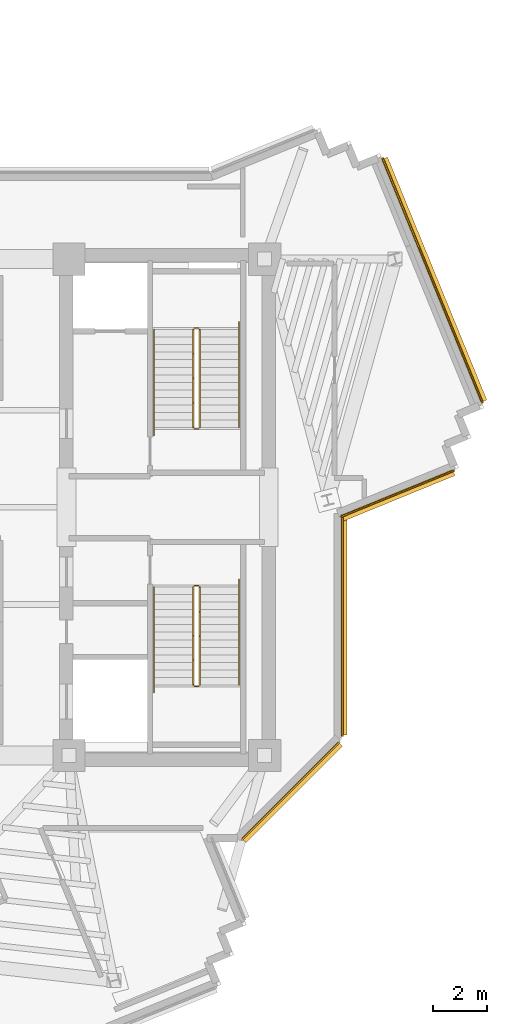
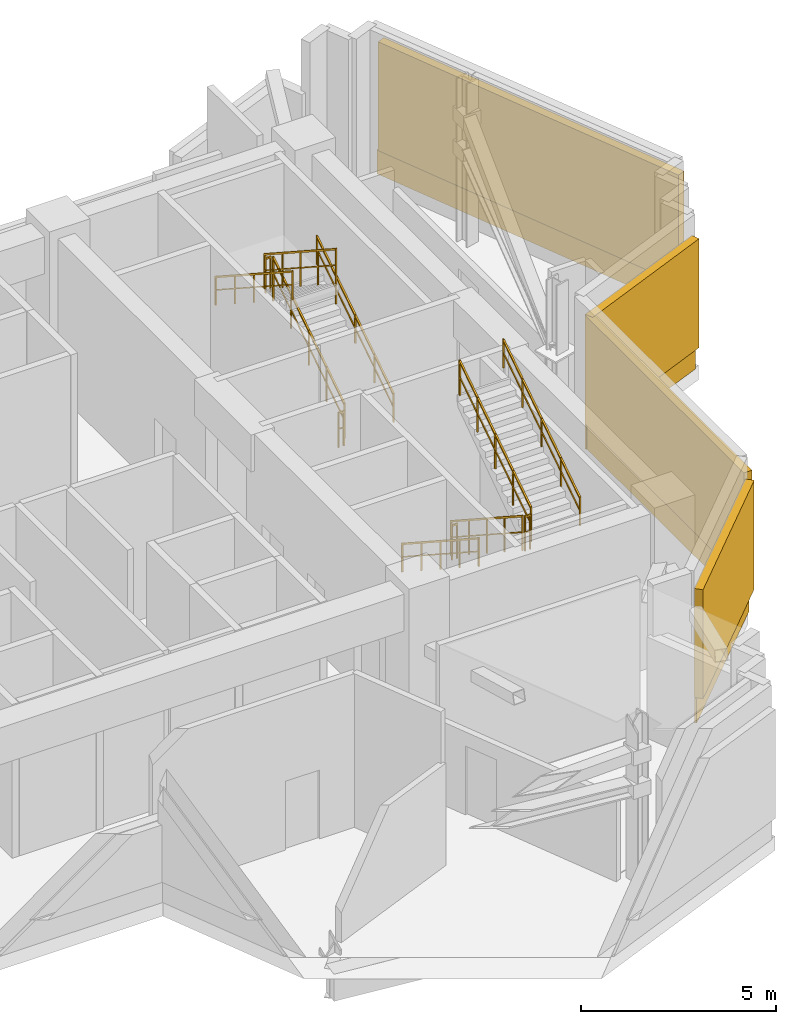
# One storey, part 10 of 11: 12 railings, 4 coverings, 4 shading devices.
"""IFC4 building model written with IfcOpenShell, lengths in metres."""

from ifc_helpers import new_model, si_unit, direction, frame, origin, origin_2d, place, context, subcontext, project, spatial, rectangle, extrude, source, transform, mapped, material, layer, layer_set, type_object, element, save


model = new_model("IFC4")

# Units and contexts
model_context = context("Model", 3, precision=1e-05, world=origin(), true_north=direction((0.0, 1.0)))
body_context = subcontext(model_context, "Body", "Model", "MODEL_VIEW")
ifc_project = project(units=[si_unit("LENGTHUNIT", "METRE"), si_unit("AREAUNIT", "SQUARE_METRE"), si_unit("VOLUMEUNIT", "CUBIC_METRE"), si_unit("PLANEANGLEUNIT", "RADIAN"), si_unit("MASSUNIT", "GRAM", prefix="KILO")], contexts=[model_context])

# Site, building, storey
site_placement = place(None, origin())
site = spatial("IfcSite", under=ifc_project, at=site_placement, CompositionType="ELEMENT")
building_placement = place(site_placement, origin())
building = spatial("IfcBuilding", under=site, at=building_placement, Name="Zahravan Cultural Tower", CompositionType="ELEMENT")
storey_placement = place(building_placement, frame((0.0, 0.0, 229.199951171875)))
storey = spatial("IfcBuildingStorey", under=building, at=storey_placement, Name="L54", CompositionType="ELEMENT", Elevation=229.199951171875)

# Railings
ifc_material_1 = material(Name="Steel ASTM A572 Grade 50", Category="steel")
railing_type_1 = type_object("IfcRailingType", Name="RL-STAIR-GRD1150", PredefinedType="BALUSTRADE", material=ifc_material_1)
railing_1_placement = place(storey_placement, frame((47.949951171875, 29.949951171875, 0.18212890625)))
element("IfcRailing", 1, at=railing_1_placement, inside=storey, type_object=railing_type_1, Name="L54 ST-E1 stair guard 1", PredefinedType="BALUSTRADE", context=body_context, shape_type="SweptSolid", body=[
    extrude(rectangle(XDim=0.05, YDim=0.05, at=origin_2d()), frame((0.0, 0.0, 1.0751953125), z_axis=(0.0, 0.83825089185, 0.545284735081), x_axis=(-1.0, 0.0, 0.0)), (0.0, 0.0, 1.0), 4.342529296875),
    extrude(rectangle(XDim=0.032, YDim=0.032, at=origin_2d()), frame((0.0, 0.0, 0.572021484375), z_axis=(0.0, 0.83825089185, 0.545284735081), x_axis=(-1.0, 0.0, 0.0)), (0.0, 0.0, 1.0), 4.342529296875),
    extrude(rectangle(XDim=0.04, YDim=0.04, at=origin_2d()), origin(), (0.0, 0.0, 1.0), 1.10009765625),
    extrude(rectangle(XDim=0.04, YDim=0.04, at=origin_2d()), frame((0.0, 0.91015625, 0.592041015625)), (0.0, 0.0, 1.0), 1.10009765625),
    extrude(rectangle(XDim=0.04, YDim=0.04, at=origin_2d()), frame((0.0, 1.820068359375, 1.18408203125)), (0.0, 0.0, 1.0), 1.10009765625),
    extrude(rectangle(XDim=0.04, YDim=0.04, at=origin_2d()), frame((0.0, 2.72998046875, 1.77587890625)), (0.0, 0.0, 1.0), 1.10009765625),
    extrude(rectangle(XDim=0.04, YDim=0.04, at=origin_2d()), frame((0.0, 3.64013671875, 2.367919921875)), (0.0, 0.0, 1.0), 1.10009765625),
])
railing_2_placement = place(storey_placement, frame((47.89990234375, 33.639892578125, 2.550048828125)))
element("IfcRailing", 2, at=railing_2_placement, inside=storey, type_object=railing_type_1, Name="L54 ST-E1 stair guard 2", PredefinedType="BALUSTRADE", context=body_context, shape_type="SweptSolid", body=[
    extrude(rectangle(XDim=0.05, YDim=0.05, at=origin_2d()), frame((0.0, 0.0, 1.0751953125), z_axis=(-1.0, 0.0, 0.0), x_axis=(0.0, -1.0, 0.0)), (0.0, 0.0, 1.0), 0.14990234375),
    extrude(rectangle(XDim=0.032, YDim=0.032, at=origin_2d()), frame((0.0, 0.0, 0.572021484375), z_axis=(-1.0, 0.0, 0.0), x_axis=(0.0, -1.0, 0.0)), (0.0, 0.0, 1.0), 0.14990234375),
    extrude(rectangle(XDim=0.04, YDim=0.04, at=origin_2d()), origin(), (0.0, 0.0, 1.0), 1.10009765625),
    extrude(rectangle(XDim=0.04, YDim=0.04, at=origin_2d()), frame((-0.14990234375, 0.0, 0.0)), (0.0, 0.0, 1.0), 1.10009765625),
])
railing_3_placement = place(storey_placement, frame((47.699951171875, 33.590087890625, 2.732177734375)))
element("IfcRailing", 3, at=railing_3_placement, inside=storey, type_object=railing_type_1, Name="L54 ST-E1 stair guard 3", PredefinedType="BALUSTRADE", context=body_context, shape_type="SweptSolid", body=[
    extrude(rectangle(XDim=0.05, YDim=0.05, at=origin_2d()), frame((0.0, 0.0, 1.0751953125), z_axis=(0.0, -0.83825089185, 0.545284735081), x_axis=(1.0, 0.0, 0.0)), (0.0, 0.0, 1.0), 4.342529296875),
    extrude(rectangle(XDim=0.032, YDim=0.032, at=origin_2d()), frame((0.0, 0.0, 0.572021484375), z_axis=(0.0, -0.83825089185, 0.545284735081), x_axis=(1.0, 0.0, 0.0)), (0.0, 0.0, 1.0), 4.342529296875),
    extrude(rectangle(XDim=0.04, YDim=0.04, at=origin_2d()), origin(), (0.0, 0.0, 1.0), 1.10009765625),
    extrude(rectangle(XDim=0.04, YDim=0.04, at=origin_2d()), frame((0.0, -0.91015625, 0.592041015625)), (0.0, 0.0, 1.0), 1.10009765625),
    extrude(rectangle(XDim=0.04, YDim=0.04, at=origin_2d()), frame((0.0, -1.820068359375, 1.18408203125)), (0.0, 0.0, 1.0), 1.10009765625),
    extrude(rectangle(XDim=0.04, YDim=0.04, at=origin_2d()), frame((0.0, -2.72998046875, 1.77587890625)), (0.0, 0.0, 1.0), 1.10009765625),
    extrude(rectangle(XDim=0.04, YDim=0.04, at=origin_2d()), frame((0.0, -3.64013671875, 2.367919921875)), (0.0, 0.0, 1.0), 1.10009765625),
])
railing_4_placement = place(storey_placement, frame((47.89990234375, 29.89990234375, 0.0)))
element("IfcRailing", 4, at=railing_4_placement, inside=storey, type_object=railing_type_1, Name="L54 ST-E1 stair guard 4", PredefinedType="BALUSTRADE", context=body_context, shape_type="SweptSolid", body=[
    extrude(rectangle(XDim=0.05, YDim=0.05, at=origin_2d()), frame((0.0, 0.0, 1.0751953125), z_axis=(-1.0, 0.0, 0.0), x_axis=(0.0, -1.0, 0.0)), (0.0, 0.0, 1.0), 0.14990234375),
    extrude(rectangle(XDim=0.032, YDim=0.032, at=origin_2d()), frame((0.0, 0.0, 0.572021484375), z_axis=(-1.0, 0.0, 0.0), x_axis=(0.0, -1.0, 0.0)), (0.0, 0.0, 1.0), 0.14990234375),
    extrude(rectangle(XDim=0.04, YDim=0.04, at=origin_2d()), origin(), (0.0, 0.0, 1.0), 1.10009765625),
    extrude(rectangle(XDim=0.04, YDim=0.04, at=origin_2d()), frame((-0.14990234375, 0.0, 0.0)), (0.0, 0.0, 1.0), 1.10009765625),
])
railing_5_placement = place(storey_placement, frame((47.699951171875, 24.050048828125, 0.18212890625)))
element("IfcRailing", 5, at=railing_5_placement, inside=storey, type_object=railing_type_1, Name="L54 ST-E2 stair guard 1", PredefinedType="BALUSTRADE", context=body_context, shape_type="SweptSolid", body=[
    extrude(rectangle(XDim=0.05, YDim=0.05, at=origin_2d()), frame((0.0, 0.0, 1.0751953125), z_axis=(0.0, -0.83825089185, 0.545284735081), x_axis=(1.0, 0.0, 0.0)), (0.0, 0.0, 1.0), 4.342529296875),
    extrude(rectangle(XDim=0.032, YDim=0.032, at=origin_2d()), frame((0.0, 0.0, 0.572021484375), z_axis=(0.0, -0.83825089185, 0.545284735081), x_axis=(1.0, 0.0, 0.0)), (0.0, 0.0, 1.0), 4.342529296875),
    extrude(rectangle(XDim=0.04, YDim=0.04, at=origin_2d()), origin(), (0.0, 0.0, 1.0), 1.10009765625),
    extrude(rectangle(XDim=0.04, YDim=0.04, at=origin_2d()), frame((0.0, -0.91015625, 0.592041015625)), (0.0, 0.0, 1.0), 1.10009765625),
    extrude(rectangle(XDim=0.04, YDim=0.04, at=origin_2d()), frame((0.0, -1.820068359375, 1.18408203125)), (0.0, 0.0, 1.0), 1.10009765625),
    extrude(rectangle(XDim=0.04, YDim=0.04, at=origin_2d()), frame((0.0, -2.72998046875, 1.77587890625)), (0.0, 0.0, 1.0), 1.10009765625),
    extrude(rectangle(XDim=0.04, YDim=0.04, at=origin_2d()), frame((0.0, -3.64013671875, 2.367919921875)), (0.0, 0.0, 1.0), 1.10009765625),
])
railing_6_placement = place(storey_placement, frame((47.75, 20.360107421875, 2.550048828125)))
element("IfcRailing", 6, at=railing_6_placement, inside=storey, type_object=railing_type_1, Name="L54 ST-E2 stair guard 2", PredefinedType="BALUSTRADE", context=body_context, shape_type="SweptSolid", body=[
    extrude(rectangle(XDim=0.05, YDim=0.05, at=origin_2d()), frame((0.0, 0.0, 1.0751953125), z_axis=(1.0, 0.0, 0.0), x_axis=(0.0, 1.0, 0.0)), (0.0, 0.0, 1.0), 0.14990234375),
    extrude(rectangle(XDim=0.032, YDim=0.032, at=origin_2d()), frame((0.0, 0.0, 0.572021484375), z_axis=(1.0, 0.0, 0.0), x_axis=(0.0, 1.0, 0.0)), (0.0, 0.0, 1.0), 0.14990234375),
    extrude(rectangle(XDim=0.04, YDim=0.04, at=origin_2d()), origin(), (0.0, 0.0, 1.0), 1.10009765625),
    extrude(rectangle(XDim=0.04, YDim=0.04, at=origin_2d()), frame((0.14990234375, 0.0, 0.0)), (0.0, 0.0, 1.0), 1.10009765625),
])
railing_7_placement = place(storey_placement, frame((47.949951171875, 20.409912109375, 2.732177734375)))
element("IfcRailing", 7, at=railing_7_placement, inside=storey, type_object=railing_type_1, Name="L54 ST-E2 stair guard 3", PredefinedType="BALUSTRADE", context=body_context, shape_type="SweptSolid", body=[
    extrude(rectangle(XDim=0.05, YDim=0.05, at=origin_2d()), frame((0.0, 0.0, 1.0751953125), z_axis=(0.0, 0.83825089185, 0.545284735081), x_axis=(-1.0, 0.0, 0.0)), (0.0, 0.0, 1.0), 4.342529296875),
    extrude(rectangle(XDim=0.032, YDim=0.032, at=origin_2d()), frame((0.0, 0.0, 0.572021484375), z_axis=(0.0, 0.83825089185, 0.545284735081), x_axis=(-1.0, 0.0, 0.0)), (0.0, 0.0, 1.0), 4.342529296875),
    extrude(rectangle(XDim=0.04, YDim=0.04, at=origin_2d()), origin(), (0.0, 0.0, 1.0), 1.10009765625),
    extrude(rectangle(XDim=0.04, YDim=0.04, at=origin_2d()), frame((0.0, 0.91015625, 0.592041015625)), (0.0, 0.0, 1.0), 1.10009765625),
    extrude(rectangle(XDim=0.04, YDim=0.04, at=origin_2d()), frame((0.0, 1.820068359375, 1.18408203125)), (0.0, 0.0, 1.0), 1.10009765625),
    extrude(rectangle(XDim=0.04, YDim=0.04, at=origin_2d()), frame((0.0, 2.72998046875, 1.77587890625)), (0.0, 0.0, 1.0), 1.10009765625),
    extrude(rectangle(XDim=0.04, YDim=0.04, at=origin_2d()), frame((0.0, 3.64013671875, 2.367919921875)), (0.0, 0.0, 1.0), 1.10009765625),
])
railing_8_placement = place(storey_placement, frame((47.75, 24.10009765625, 0.0)))
element("IfcRailing", 8, at=railing_8_placement, inside=storey, type_object=railing_type_1, Name="L54 ST-E2 stair guard 4", PredefinedType="BALUSTRADE", context=body_context, shape_type="SweptSolid", body=[
    extrude(rectangle(XDim=0.05, YDim=0.05, at=origin_2d()), frame((0.0, 0.0, 1.0751953125), z_axis=(1.0, 0.0, 0.0), x_axis=(0.0, 1.0, 0.0)), (0.0, 0.0, 1.0), 0.14990234375),
    extrude(rectangle(XDim=0.032, YDim=0.032, at=origin_2d()), frame((0.0, 0.0, 0.572021484375), z_axis=(1.0, 0.0, 0.0), x_axis=(0.0, 1.0, 0.0)), (0.0, 0.0, 1.0), 0.14990234375),
    extrude(rectangle(XDim=0.04, YDim=0.04, at=origin_2d()), origin(), (0.0, 0.0, 1.0), 1.10009765625),
    extrude(rectangle(XDim=0.04, YDim=0.04, at=origin_2d()), frame((0.14990234375, 0.0, 0.0)), (0.0, 0.0, 1.0), 1.10009765625),
])
railing_type_2 = type_object("IfcRailingType", Name="RL-STAIR-HR900", PredefinedType="HANDRAIL", material=ifc_material_1)
railing_9_placement = place(storey_placement, frame((49.39990234375, 29.949951171875, 0.18212890625)))
element("IfcRailing", 9, at=railing_9_placement, inside=storey, type_object=railing_type_2, Name="L54 ST-E1 stair handrail 1", PredefinedType="HANDRAIL", context=body_context, shape_type="SweptSolid", body=[
    extrude(rectangle(XDim=0.05, YDim=0.05, at=origin_2d()), frame((0.0, 0.0, 0.875), z_axis=(0.0, 0.838253921411, 0.545280077794), x_axis=(-1.0, 0.0, 0.0)), (0.0, 0.0, 1.0), 4.676513671875),
    extrude(rectangle(XDim=0.032, YDim=0.032, at=origin_2d()), frame((0.0, 0.0, 0.468017578125), z_axis=(0.0, 0.838253921411, 0.545280077794), x_axis=(-1.0, 0.0, 0.0)), (0.0, 0.0, 1.0), 4.676513671875),
    extrude(rectangle(XDim=0.04, YDim=0.04, at=origin_2d()), origin(), (0.0, 0.0, 1.0), 0.89990234375),
    extrude(rectangle(XDim=0.04, YDim=0.04, at=origin_2d()), frame((0.0, 0.97998046875, 0.637451171875)), (0.0, 0.0, 1.0), 0.89990234375),
    extrude(rectangle(XDim=0.04, YDim=0.04, at=origin_2d()), frame((0.0, 1.9599609375, 1.27490234375)), (0.0, 0.0, 1.0), 0.89990234375),
    extrude(rectangle(XDim=0.04, YDim=0.04, at=origin_2d()), frame((0.0, 2.940185546875, 1.91259765625)), (0.0, 0.0, 1.0), 0.89990234375),
    extrude(rectangle(XDim=0.04, YDim=0.04, at=origin_2d()), frame((0.0, 3.920166015625, 2.550048828125)), (0.0, 0.0, 1.0), 0.89990234375),
])
for number, where, name in (
    (10, (46.25, 33.590087890625, 2.732177734375), "L54 ST-E1 stair handrail 2"),
    (11, (46.25, 24.050048828125, 0.18212890625), "L54 ST-E2 stair handrail 1"),
):
    element("IfcRailing", number, at=place(storey_placement, frame(where)), inside=storey, type_object=railing_type_2, Name=name, PredefinedType="HANDRAIL", context=body_context, shape_type="SweptSolid", body=[
        extrude(rectangle(XDim=0.05, YDim=0.05, at=origin_2d()), frame((0.0, 0.0, 0.875), z_axis=(0.0, -0.838253921411, 0.545280077794), x_axis=(1.0, 0.0, 0.0)), (0.0, 0.0, 1.0), 4.676513671875),
        extrude(rectangle(XDim=0.032, YDim=0.032, at=origin_2d()), frame((0.0, 0.0, 0.468017578125), z_axis=(0.0, -0.838253921411, 0.545280077794), x_axis=(1.0, 0.0, 0.0)), (0.0, 0.0, 1.0), 4.676513671875),
        extrude(rectangle(XDim=0.04, YDim=0.04, at=origin_2d()), origin(), (0.0, 0.0, 1.0), 0.89990234375),
        extrude(rectangle(XDim=0.04, YDim=0.04, at=origin_2d()), frame((0.0, -0.97998046875, 0.637451171875)), (0.0, 0.0, 1.0), 0.89990234375),
        extrude(rectangle(XDim=0.04, YDim=0.04, at=origin_2d()), frame((0.0, -1.9599609375, 1.27490234375)), (0.0, 0.0, 1.0), 0.89990234375),
        extrude(rectangle(XDim=0.04, YDim=0.04, at=origin_2d()), frame((0.0, -2.940185546875, 1.91259765625)), (0.0, 0.0, 1.0), 0.89990234375),
        extrude(rectangle(XDim=0.04, YDim=0.04, at=origin_2d()), frame((0.0, -3.920166015625, 2.550048828125)), (0.0, 0.0, 1.0), 0.89990234375),
    ])
railing_10_placement = place(storey_placement, frame((49.39990234375, 20.409912109375, 2.732177734375)))
element("IfcRailing", 12, at=railing_10_placement, inside=storey, type_object=railing_type_2, Name="L54 ST-E2 stair handrail 2", PredefinedType="HANDRAIL", context=body_context, shape_type="SweptSolid", body=[
    extrude(rectangle(XDim=0.05, YDim=0.05, at=origin_2d()), frame((0.0, 0.0, 0.875), z_axis=(0.0, 0.838253921411, 0.545280077794), x_axis=(-1.0, 0.0, 0.0)), (0.0, 0.0, 1.0), 4.676513671875),
    extrude(rectangle(XDim=0.032, YDim=0.032, at=origin_2d()), frame((0.0, 0.0, 0.468017578125), z_axis=(0.0, 0.838253921411, 0.545280077794), x_axis=(-1.0, 0.0, 0.0)), (0.0, 0.0, 1.0), 4.676513671875),
    extrude(rectangle(XDim=0.04, YDim=0.04, at=origin_2d()), origin(), (0.0, 0.0, 1.0), 0.89990234375),
    extrude(rectangle(XDim=0.04, YDim=0.04, at=origin_2d()), frame((0.0, 0.97998046875, 0.637451171875)), (0.0, 0.0, 1.0), 0.89990234375),
    extrude(rectangle(XDim=0.04, YDim=0.04, at=origin_2d()), frame((0.0, 1.9599609375, 1.27490234375)), (0.0, 0.0, 1.0), 0.89990234375),
    extrude(rectangle(XDim=0.04, YDim=0.04, at=origin_2d()), frame((0.0, 2.940185546875, 1.91259765625)), (0.0, 0.0, 1.0), 0.89990234375),
    extrude(rectangle(XDim=0.04, YDim=0.04, at=origin_2d()), frame((0.0, 3.920166015625, 2.550048828125)), (0.0, 0.0, 1.0), 0.89990234375),
])

# Covering
ifc_material_2 = material(Name="Terracotta ceramic cladding", Category="masonry")
ifc_layer = layer(ifc_material_2, 0.06005859375)
ifc_layer_set = layer_set([ifc_layer], Name="Terracotta ceramic cladding")
covering_type = type_object("IfcCoveringType", Name="COV-CLAD-TC60", PredefinedType="CLADDING", material=ifc_layer_set)
shared_shape_1 = source(origin(), body_context, "Body", "SweptSolid", [
    extrude(rectangle(XDim=5.157958984375, YDim=0.06005859375, at=origin_2d()), origin(), (0.0, 0.0, 1.0), 0.760009765625),
])
covering_1_placement = place(storey_placement, frame((51.317626953125, 16.482421875, 0.02001953125), z_axis=(0.0, 0.0, 1.0), x_axis=(-0.707106781187, -0.707106781187, 0.0)))
element("IfcCovering", 13, at=covering_1_placement, inside=storey, type_object=covering_type, Name="L54 Terracotta Spandrel Cladding 13", PredefinedType="CLADDING", context=body_context, shape_type="MappedRepresentation", body=[
    mapped(shared_shape_1, transform((0.0, 0.0, 0.0), x_axis=(1.0, 0.0, 0.0), y_axis=(0.0, 1.0, 0.0), z_axis=(0.0, 0.0, 1.0), scale=1.0)),
])

# Shading devices
ifc_material_3 = material(Name="Architectural terracotta fin", Category="masonry")
shading_device_type = type_object("IfcShadingDeviceType", Name="SHD-LOUVRE-BAND", PredefinedType="JALOUSIE", material=ifc_material_3)
shared_shape_2 = source(origin(), body_context, "Body", "SweptSolid", [
    extrude(rectangle(XDim=9.719970703125, YDim=0.239990234375, at=origin_2d()), origin(), (0.0, 0.0, 1.0), 3.39990234375),
])
shading_device_1_placement = place(storey_placement, frame((56.6328125, 35.43408203125, 0.780029296875), z_axis=(0.0, 0.0, 1.0), x_axis=(0.378373987294, -0.925652810583, 0.0)))
element("IfcShadingDevice", 14, at=shading_device_1_placement, inside=storey, type_object=shading_device_type, Name="L54 Terracotta Acoustic Louvre 02", PredefinedType="JALOUSIE", context=body_context, shape_type="MappedRepresentation", body=[
    mapped(shared_shape_2, transform((0.0, 0.0, 0.0), x_axis=(1.0, 0.0, 0.0), y_axis=(0.0, 1.0, 0.0), z_axis=(0.0, 0.0, 1.0), scale=1.0)),
])
shared_shape_3 = source(origin(), body_context, "Body", "SweptSolid", [
    extrude(rectangle(XDim=5.05810546875, YDim=0.239990234375, at=origin_2d()), origin(), (0.0, 0.0, 1.0), 3.39990234375),
])
shading_device_2_placement = place(storey_placement, frame((51.363525390625, 16.436279296875, 0.780029296875), z_axis=(0.0, 0.0, 1.0), x_axis=(-0.707106781187, -0.707106781187, 0.0)))
element("IfcShadingDevice", 15, at=shading_device_2_placement, inside=storey, type_object=shading_device_type, Name="L54 Terracotta Acoustic Louvre 05", PredefinedType="JALOUSIE", context=body_context, shape_type="MappedRepresentation", body=[
    mapped(shared_shape_3, transform((0.0, 0.0, 0.0), x_axis=(1.0, 0.0, 0.0), y_axis=(0.0, 1.0, 0.0), z_axis=(0.0, 0.0, 1.0), scale=1.0)),
])

# Coverings
shared_shape_4 = source(origin(), body_context, "Body", "SweptSolid", [
    extrude(rectangle(XDim=9.81982421875, YDim=0.06005859375, at=origin_2d()), origin(), (0.0, 0.0, 1.0), 0.760009765625),
])
covering_2_placement = place(storey_placement, frame((56.572509765625, 35.409423828125, 0.02001953125), z_axis=(0.0, 0.0, 1.0), x_axis=(0.378373987294, -0.925652810583, 0.0)))
element("IfcCovering", 16, at=covering_2_placement, inside=storey, type_object=covering_type, Name="L54 Terracotta Spandrel Cladding 06", PredefinedType="CLADDING", context=body_context, shape_type="MappedRepresentation", body=[
    mapped(shared_shape_4, transform((0.0, 0.0, 0.0), x_axis=(1.0, 0.0, 0.0), y_axis=(0.0, 1.0, 0.0), z_axis=(0.0, 0.0, 1.0), scale=1.0)),
])
shared_shape_5 = source(origin(), body_context, "Body", "SweptSolid", [
    extrude(rectangle(XDim=4.552001953125, YDim=0.06005859375, at=origin_2d()), origin(), (0.0, 0.0, 1.0), 0.760009765625),
])
covering_3_placement = place(storey_placement, frame((55.275390625, 27.506103515625, 0.02001953125), z_axis=(0.0, 0.0, 1.0), x_axis=(-0.925652810583, -0.378373987294, 0.0)))
element("IfcCovering", 17, at=covering_3_placement, inside=storey, type_object=covering_type, Name="L54 Terracotta Spandrel Cladding 11", PredefinedType="CLADDING", context=body_context, shape_type="MappedRepresentation", body=[
    mapped(shared_shape_5, transform((0.0, 0.0, 0.0), x_axis=(1.0, 0.0, 0.0), y_axis=(0.0, 1.0, 0.0), z_axis=(0.0, 0.0, 1.0), scale=1.0)),
])

# Shading device
shared_shape_6 = source(origin(), body_context, "Body", "SweptSolid", [
    extrude(rectangle(XDim=4.4521484375, YDim=0.239990234375, at=origin_2d()), origin(), (0.0, 0.0, 1.0), 3.39990234375),
])
shading_device_3_placement = place(storey_placement, frame((55.300048828125, 27.44580078125, 0.780029296875), z_axis=(0.0, 0.0, 1.0), x_axis=(-0.925652810583, -0.378373987294, 0.0)))
element("IfcShadingDevice", 18, at=shading_device_3_placement, inside=storey, type_object=shading_device_type, Name="L54 Terracotta Acoustic Louvre 03", PredefinedType="JALOUSIE", context=body_context, shape_type="MappedRepresentation", body=[
    mapped(shared_shape_6, transform((0.0, 0.0, 0.0), x_axis=(1.0, 0.0, 0.0), y_axis=(0.0, 1.0, 0.0), z_axis=(0.0, 0.0, 1.0), scale=1.0)),
])

# Covering
shared_shape_7 = source(origin(), body_context, "Body", "SweptSolid", [
    extrude(rectangle(XDim=8.220703125, YDim=0.06005859375, at=origin_2d()), origin(), (0.0, 0.0, 1.0), 0.760009765625),
])
covering_4_placement = place(storey_placement, frame((53.22509765625, 22.618408203125, 0.02001953125), z_axis=(0.0, 0.0, 1.0), x_axis=(0.0, -1.0, 0.0)))
element("IfcCovering", 19, at=covering_4_placement, inside=storey, type_object=covering_type, Name="L54 Terracotta Spandrel Cladding 12", PredefinedType="CLADDING", context=body_context, shape_type="MappedRepresentation", body=[
    mapped(shared_shape_7, transform((0.0, 0.0, 0.0), x_axis=(1.0, 0.0, 0.0), y_axis=(0.0, 1.0, 0.0), z_axis=(0.0, 0.0, 1.0), scale=1.0)),
])

# Shading device
shared_shape_8 = source(origin(), body_context, "Body", "SweptSolid", [
    extrude(rectangle(XDim=8.12060546875, YDim=0.239990234375, at=origin_2d()), origin(), (0.0, 0.0, 1.0), 3.39990234375),
])
shading_device_4_placement = place(storey_placement, frame((53.2900390625, 22.618408203125, 0.780029296875), z_axis=(0.0, 0.0, 1.0), x_axis=(0.0, -1.0, 0.0)))
element("IfcShadingDevice", 20, at=shading_device_4_placement, inside=storey, type_object=shading_device_type, Name="L54 Terracotta Acoustic Louvre 04", PredefinedType="JALOUSIE", context=body_context, shape_type="MappedRepresentation", body=[
    mapped(shared_shape_8, transform((0.0, 0.0, 0.0), x_axis=(1.0, 0.0, 0.0), y_axis=(0.0, 1.0, 0.0), z_axis=(0.0, 0.0, 1.0), scale=1.0)),
])

save(model, "model.ifc")
